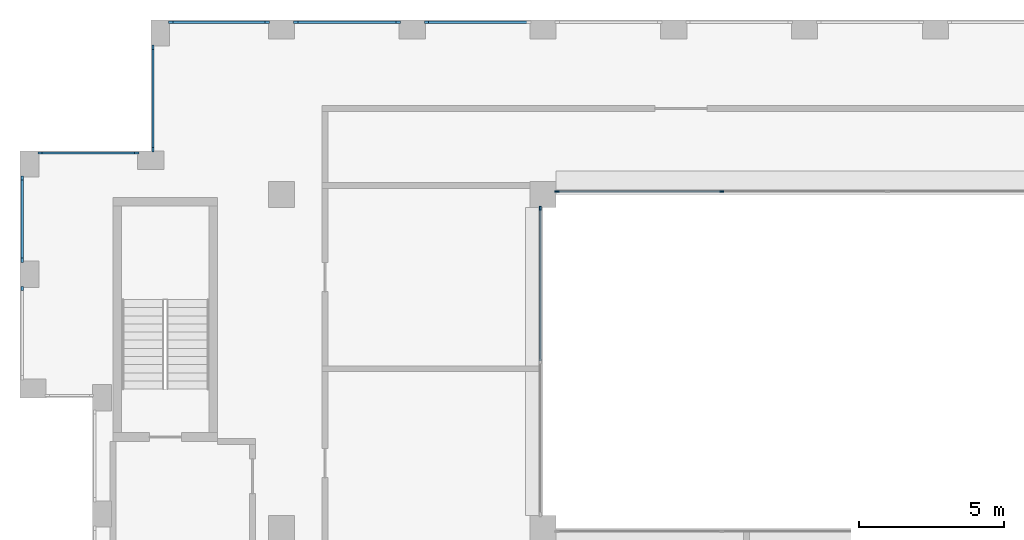
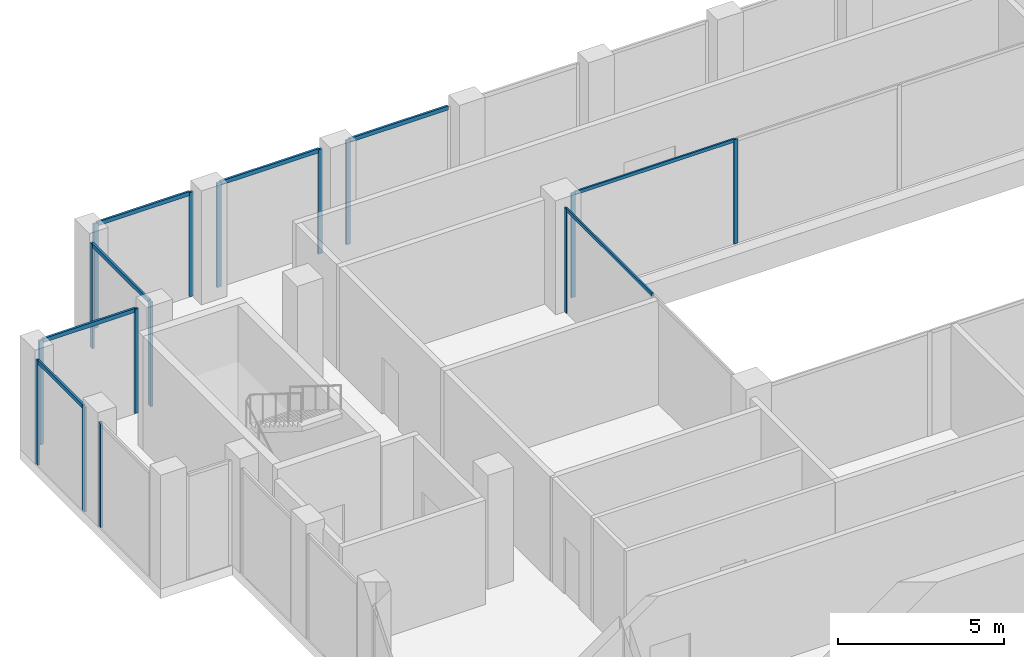
# One storey, part 7 of 15: 23 members, 9 elements without a shape of their own.
"""IFC4 building model written with IfcOpenShell, lengths in metres."""

from ifc_helpers import new_model, si_unit, direction, frame, origin, origin_2d, place, context, subcontext, project, spatial, rectangle, extrude, material, layer, layer_set, material_profile, profile_set, type_object, element, aggregate, save


model = new_model("IFC4")

# Units and contexts
model_context = context("Model", 3, precision=1e-05, world=origin(), true_north=direction((0.0, 1.0)))
body_context = subcontext(model_context, "Body", "Model", "MODEL_VIEW")
ifc_project = project(units=[si_unit("LENGTHUNIT", "METRE"), si_unit("AREAUNIT", "SQUARE_METRE"), si_unit("VOLUMEUNIT", "CUBIC_METRE"), si_unit("PLANEANGLEUNIT", "RADIAN"), si_unit("MASSUNIT", "GRAM", prefix="KILO")], contexts=[model_context])

# Site, building, storey
site_placement = place(None, origin())
site = spatial("IfcSite", under=ifc_project, at=site_placement, CompositionType="ELEMENT")
building_placement = place(site_placement, origin())
building = spatial("IfcBuilding", under=site, at=building_placement, Name="Brigalow Station Residences", CompositionType="ELEMENT")
storey_placement = place(building_placement, frame((0.0, 0.0, 235.800048828125)))
storey = spatial("IfcBuildingStorey", under=building, at=storey_placement, Name="L68", CompositionType="ELEMENT", Elevation=235.800048828125)

# Curtain wall, members
ifc_material_1 = material(Name="Aluminium", Category="aluminium")
ifc_layer_1 = layer(ifc_material_1, 0.14990234375)
ifc_layer_set_1 = layer_set([ifc_layer_1], Name="ATRIUM FIRE-RATED GLAZING CURTAIN WALL")
curtain_wall_type_1 = type_object("IfcCurtainWallType", Name="ATRIUM FIRE-RATED GLAZING CURTAIN WALL", PredefinedType="NOTDEFINED", material=ifc_layer_set_1)
curtain_wall_1_placement = place(storey_placement, origin())
curtain_wall_1 = element("IfcCurtainWall", 1, at=curtain_wall_1_placement, inside=storey, type_object=curtain_wall_type_1, Name="L68/cw/atrium-N", PredefinedType="NOTDEFINED")
ifc_material_2 = material(Name="Aluminium", Category="aluminium")
ifc_material_profile_1 = material_profile(ifc_material_2, rectangle(XDim=0.06005859375, YDim=0.14990234375, at=origin_2d()), Name="ATRIUM FIRE-RATED GLAZING MULLION 60x150")
ifc_profile_set_1 = profile_set([ifc_material_profile_1], Name="Aluminium")
member_type_1 = type_object("IfcMemberType", Name="ATRIUM FIRE-RATED GLAZING MULLION 60x150", PredefinedType="MULLION", material=ifc_profile_set_1)
member_1_placement = place(storey_placement, frame((33.14990234375, 35.60009765625, 0.0), z_axis=(0.0, 0.0, 1.0), x_axis=(0.0, -1.0, 0.0)))
member_1 = element("IfcMember", 2, at=member_1_placement, type_object=member_type_1, Name="L68/cw/atrium-N/M02", PredefinedType="MULLION", context=body_context, shape_type="SweptSolid", body=[
    extrude(rectangle(XDim=0.06005859375, YDim=0.14990234375, at=origin_2d()), origin(), (0.0, 0.0, 1.0), 3.849853515625),
])
member_2_placement = place(storey_placement, frame((27.47998046875, 35.60009765625, 0.0), z_axis=(0.0, 0.0, 1.0), x_axis=(0.0, -1.0, 0.0)))
member_2 = element("IfcMember", 3, at=member_2_placement, type_object=member_type_1, Name="L68/cw/atrium-N/M03", PredefinedType="MULLION", context=body_context, shape_type="SweptSolid", body=[
    extrude(rectangle(XDim=0.06005859375, YDim=0.14990234375, at=origin_2d()), origin(), (0.0, 0.0, 1.0), 3.849853515625),
])

# Curtain wall, member
curtain_wall_2_placement = place(storey_placement, origin())
curtain_wall_2 = element("IfcCurtainWall", 4, at=curtain_wall_2_placement, inside=storey, type_object=curtain_wall_type_1, Name="L68/cw/atrium-W", PredefinedType="NOTDEFINED")
member_3_placement = place(storey_placement, frame((26.89990234375, 35.02001953125, 0.0), z_axis=(0.0, 0.0, 1.0), x_axis=(1.0, 0.0, 0.0)))
member_3 = element("IfcMember", 5, at=member_3_placement, type_object=member_type_1, Name="L68/cw/atrium-W/M00", PredefinedType="MULLION", context=body_context, shape_type="SweptSolid", body=[
    extrude(rectangle(XDim=0.06005859375, YDim=0.14990234375, at=origin_2d()), origin(), (0.0, 0.0, 1.0), 3.849853515625),
])

# Member
ifc_material_3 = material(Name="Aluminium", Category="aluminium")
ifc_material_profile_2 = material_profile(ifc_material_3, rectangle(XDim=0.06005859375, YDim=0.1201171875, at=origin_2d()), Name="ATRIUM FIRE-RATED GLAZING TRANSOM 60x120")
ifc_profile_set_2 = profile_set([ifc_material_profile_2], Name="Aluminium")
member_type_2 = type_object("IfcMemberType", Name="ATRIUM FIRE-RATED GLAZING TRANSOM 60x120", PredefinedType="USERDEFINED", material=ifc_profile_set_2)
member_4_placement = place(storey_placement, frame((33.1201171875, 35.60009765625, 3.820068359375), z_axis=(-1.0, 0.0, 0.0), x_axis=(0.0, -1.0, 0.0)))
member_4 = element("IfcMember", 6, at=member_4_placement, type_object=member_type_2, Name="L68/cw/atrium-N/T02-00", ObjectType="TRANSOM", PredefinedType="USERDEFINED", context=body_context, shape_type="SweptSolid", body=[
    extrude(rectangle(XDim=0.06005859375, YDim=0.1201171875, at=origin_2d()), origin(), (0.0, 0.0, 1.0), 5.610107421875),
])

aggregate(curtain_wall_1, [member_1, member_2, member_4])

member_5_placement = place(storey_placement, frame((26.89990234375, 34.989990234375, 3.820068359375), z_axis=(0.0, -1.0, 0.0), x_axis=(1.0, 0.0, 0.0)))
member_5 = element("IfcMember", 7, at=member_5_placement, type_object=member_type_2, Name="L68/cw/atrium-W/T00-00", ObjectType="TRANSOM", PredefinedType="USERDEFINED", context=body_context, shape_type="SweptSolid", body=[
    extrude(rectangle(XDim=0.06005859375, YDim=0.1201171875, at=origin_2d()), origin(), (0.0, 0.0, 1.0), 5.2099609375),
])

aggregate(curtain_wall_2, [member_3, member_5])

# Curtain wall, member
ifc_material_4 = material(Name="Aluminium", Category="aluminium")
ifc_layer_2 = layer(ifc_material_4, 0.14990234375)
ifc_layer_set_2 = layer_set([ifc_layer_2], Name="CROWN CURTAIN WALL")
curtain_wall_type_2 = type_object("IfcCurtainWallType", Name="CROWN CURTAIN WALL", PredefinedType="NOTDEFINED", material=ifc_layer_set_2)
curtain_wall_3_placement = place(storey_placement, origin())
curtain_wall_3 = element("IfcCurtainWall", 8, at=curtain_wall_3_placement, inside=storey, type_object=curtain_wall_type_2, Name="L68/cw/crown-W-L68-20-28", PredefinedType="NOTDEFINED")
ifc_material_5 = material(Name="Aluminium", Category="aluminium")
ifc_material_profile_3 = material_profile(ifc_material_5, rectangle(XDim=0.074951171875, YDim=0.14990234375, at=origin_2d()), Name="CROWN MULLION 75x150")
ifc_profile_set_3 = profile_set([ifc_material_profile_3], Name="Aluminium")
member_type_3 = type_object("IfcMemberType", Name="CROWN MULLION 75x150", PredefinedType="MULLION", material=ifc_profile_set_3)
member_6_placement = place(storey_placement, frame((22.987548828125, 41.425048828125, 0.0), z_axis=(0.0, 0.0, 1.0), x_axis=(0.0, -1.0, 0.0)))
member_6 = element("IfcMember", 9, at=member_6_placement, type_object=member_type_3, Name="L68/cw/crown-W-L68-20-28/M01", PredefinedType="MULLION", context=body_context, shape_type="SweptSolid", body=[
    extrude(rectangle(XDim=0.074951171875, YDim=0.14990234375, at=origin_2d()), origin(), (0.0, 0.0, 1.0), 3.849853515625),
])

# Curtain wall, members
curtain_wall_4_placement = place(storey_placement, origin())
curtain_wall_4 = element("IfcCurtainWall", 10, at=curtain_wall_4_placement, inside=storey, type_object=curtain_wall_type_2, Name="L68/cw/crown-W-L68-20-29", PredefinedType="NOTDEFINED")
member_7_placement = place(storey_placement, frame((22.012451171875, 41.425048828125, 0.0), z_axis=(0.0, 0.0, 1.0), x_axis=(0.0, -1.0, 0.0)))
member_7 = element("IfcMember", 11, at=member_7_placement, type_object=member_type_3, Name="L68/cw/crown-W-L68-20-29/M00", PredefinedType="MULLION", context=body_context, shape_type="SweptSolid", body=[
    extrude(rectangle(XDim=0.074951171875, YDim=0.14990234375, at=origin_2d()), origin(), (0.0, 0.0, 1.0), 3.849853515625),
])
member_8_placement = place(storey_placement, frame((18.487548828125, 41.425048828125, 0.0), z_axis=(0.0, 0.0, 1.0), x_axis=(0.0, -1.0, 0.0)))
member_8 = element("IfcMember", 12, at=member_8_placement, type_object=member_type_3, Name="L68/cw/crown-W-L68-20-29/M01", PredefinedType="MULLION", context=body_context, shape_type="SweptSolid", body=[
    extrude(rectangle(XDim=0.074951171875, YDim=0.14990234375, at=origin_2d()), origin(), (0.0, 0.0, 1.0), 3.849853515625),
])

curtain_wall_5_placement = place(storey_placement, origin())
curtain_wall_5 = element("IfcCurtainWall", 13, at=curtain_wall_5_placement, inside=storey, type_object=curtain_wall_type_2, Name="L68/cw/crown-W-L68-20-30", PredefinedType="NOTDEFINED")
member_9_placement = place(storey_placement, frame((17.512451171875, 41.425048828125, 0.0), z_axis=(0.0, 0.0, 1.0), x_axis=(0.0, -1.0, 0.0)))
member_9 = element("IfcMember", 14, at=member_9_placement, type_object=member_type_3, Name="L68/cw/crown-W-L68-20-30/M00", PredefinedType="MULLION", context=body_context, shape_type="SweptSolid", body=[
    extrude(rectangle(XDim=0.074951171875, YDim=0.14990234375, at=origin_2d()), origin(), (0.0, 0.0, 1.0), 3.849853515625),
])
member_10_placement = place(storey_placement, frame((14.1875, 41.425048828125, 0.0), z_axis=(0.0, 0.0, 1.0), x_axis=(0.0, -1.0, 0.0)))
member_10 = element("IfcMember", 15, at=member_10_placement, type_object=member_type_3, Name="L68/cw/crown-W-L68-20-30/M01", PredefinedType="MULLION", context=body_context, shape_type="SweptSolid", body=[
    extrude(rectangle(XDim=0.074951171875, YDim=0.14990234375, at=origin_2d()), origin(), (0.0, 0.0, 1.0), 3.849853515625),
])

curtain_wall_6_placement = place(storey_placement, origin())
curtain_wall_6 = element("IfcCurtainWall", 16, at=curtain_wall_6_placement, inside=storey, type_object=curtain_wall_type_2, Name="L68/cw/crown-W-L68-32-31", PredefinedType="NOTDEFINED")
member_11_placement = place(storey_placement, frame((13.574951171875, 40.5625, 0.0), z_axis=(0.0, 0.0, 1.0), x_axis=(1.0, 0.0, 0.0)))
member_11 = element("IfcMember", 17, at=member_11_placement, type_object=member_type_3, Name="L68/cw/crown-W-L68-32-31/M00", PredefinedType="MULLION", context=body_context, shape_type="SweptSolid", body=[
    extrude(rectangle(XDim=0.074951171875, YDim=0.14990234375, at=origin_2d()), origin(), (0.0, 0.0, 1.0), 3.849853515625),
])
member_12_placement = place(storey_placement, frame((13.574951171875, 37.03759765625, 0.0), z_axis=(0.0, 0.0, 1.0), x_axis=(1.0, 0.0, 0.0)))
member_12 = element("IfcMember", 18, at=member_12_placement, type_object=member_type_3, Name="L68/cw/crown-W-L68-32-31/M01", PredefinedType="MULLION", context=body_context, shape_type="SweptSolid", body=[
    extrude(rectangle(XDim=0.074951171875, YDim=0.14990234375, at=origin_2d()), origin(), (0.0, 0.0, 1.0), 3.849853515625),
])

curtain_wall_7_placement = place(storey_placement, origin())
curtain_wall_7 = element("IfcCurtainWall", 19, at=curtain_wall_7_placement, inside=storey, type_object=curtain_wall_type_2, Name="L68/cw/crown-W-L68-33-32", PredefinedType="NOTDEFINED")
member_13_placement = place(storey_placement, frame((13.012451171875, 36.925048828125, 0.0), z_axis=(0.0, 0.0, 1.0), x_axis=(0.0, -1.0, 0.0)))
member_13 = element("IfcMember", 20, at=member_13_placement, type_object=member_type_3, Name="L68/cw/crown-W-L68-33-32/M00", PredefinedType="MULLION", context=body_context, shape_type="SweptSolid", body=[
    extrude(rectangle(XDim=0.074951171875, YDim=0.14990234375, at=origin_2d()), origin(), (0.0, 0.0, 1.0), 3.849853515625),
])
member_14_placement = place(storey_placement, frame((9.6875, 36.925048828125, 0.0), z_axis=(0.0, 0.0, 1.0), x_axis=(0.0, -1.0, 0.0)))
member_14 = element("IfcMember", 21, at=member_14_placement, type_object=member_type_3, Name="L68/cw/crown-W-L68-33-32/M01", PredefinedType="MULLION", context=body_context, shape_type="SweptSolid", body=[
    extrude(rectangle(XDim=0.074951171875, YDim=0.14990234375, at=origin_2d()), origin(), (0.0, 0.0, 1.0), 3.849853515625),
])

curtain_wall_8_placement = place(storey_placement, origin())
curtain_wall_8 = element("IfcCurtainWall", 22, at=curtain_wall_8_placement, inside=storey, type_object=curtain_wall_type_2, Name="L68/cw/crown-W-L68-34-33", PredefinedType="NOTDEFINED")
member_15_placement = place(storey_placement, frame((9.074951171875, 36.0625, 0.0), z_axis=(0.0, 0.0, 1.0), x_axis=(1.0, 0.0, 0.0)))
member_15 = element("IfcMember", 23, at=member_15_placement, type_object=member_type_3, Name="L68/cw/crown-W-L68-34-33/M00", PredefinedType="MULLION", context=body_context, shape_type="SweptSolid", body=[
    extrude(rectangle(XDim=0.074951171875, YDim=0.14990234375, at=origin_2d()), origin(), (0.0, 0.0, 1.0), 3.849853515625),
])
member_16_placement = place(storey_placement, frame((9.074951171875, 33.237548828125, 0.0), z_axis=(0.0, 0.0, 1.0), x_axis=(1.0, 0.0, 0.0)))
member_16 = element("IfcMember", 24, at=member_16_placement, type_object=member_type_3, Name="L68/cw/crown-W-L68-34-33/M01", PredefinedType="MULLION", context=body_context, shape_type="SweptSolid", body=[
    extrude(rectangle(XDim=0.074951171875, YDim=0.14990234375, at=origin_2d()), origin(), (0.0, 0.0, 1.0), 3.849853515625),
])

# Curtain wall, member
curtain_wall_9_placement = place(storey_placement, origin())
curtain_wall_9 = element("IfcCurtainWall", 25, at=curtain_wall_9_placement, inside=storey, type_object=curtain_wall_type_2, Name="L68/cw/crown-W-L68-34-34", PredefinedType="NOTDEFINED")
member_17_placement = place(storey_placement, frame((9.074951171875, 32.262451171875, 0.0), z_axis=(0.0, 0.0, 1.0), x_axis=(1.0, 0.0, 0.0)))
member_17 = element("IfcMember", 26, at=member_17_placement, type_object=member_type_3, Name="L68/cw/crown-W-L68-34-34/M00", PredefinedType="MULLION", context=body_context, shape_type="SweptSolid", body=[
    extrude(rectangle(XDim=0.074951171875, YDim=0.14990234375, at=origin_2d()), origin(), (0.0, 0.0, 1.0), 3.849853515625),
])
aggregate(curtain_wall_9, [member_17])

# Member
ifc_material_6 = material(Name="Aluminium", Category="aluminium")
ifc_material_profile_4 = material_profile(ifc_material_6, rectangle(XDim=0.074951171875, YDim=0.14990234375, at=origin_2d()), Name="CROWN TRANSOM 75x150")
ifc_profile_set_4 = profile_set([ifc_material_profile_4], Name="Aluminium")
member_type_4 = type_object("IfcMemberType", Name="CROWN TRANSOM 75x150", PredefinedType="USERDEFINED", material=ifc_profile_set_4)
member_18_placement = place(storey_placement, frame((26.47509765625, 41.425048828125, 3.8125), z_axis=(-1.0, 0.0, 0.0), x_axis=(0.0, -1.0, 0.0)))
member_18 = element("IfcMember", 27, at=member_18_placement, type_object=member_type_4, Name="L68/cw/crown-W-L68-20-28/T00-00", ObjectType="TRANSOM", PredefinedType="USERDEFINED", context=body_context, shape_type="SweptSolid", body=[
    extrude(rectangle(XDim=0.074951171875, YDim=0.14990234375, at=origin_2d()), origin(), (0.0, 0.0, 1.0), 3.4501953125),
])

aggregate(curtain_wall_3, [member_6, member_18])

member_19_placement = place(storey_placement, frame((21.97509765625, 41.425048828125, 3.8125), z_axis=(-1.0, 0.0, 0.0), x_axis=(0.0, -1.0, 0.0)))
member_19 = element("IfcMember", 28, at=member_19_placement, type_object=member_type_4, Name="L68/cw/crown-W-L68-20-29/T00-00", ObjectType="TRANSOM", PredefinedType="USERDEFINED", context=body_context, shape_type="SweptSolid", body=[
    extrude(rectangle(XDim=0.074951171875, YDim=0.14990234375, at=origin_2d()), origin(), (0.0, 0.0, 1.0), 3.4501953125),
])

aggregate(curtain_wall_4, [member_7, member_8, member_19])

member_20_placement = place(storey_placement, frame((17.47509765625, 41.425048828125, 3.8125), z_axis=(-1.0, 0.0, 0.0), x_axis=(0.0, -1.0, 0.0)))
member_20 = element("IfcMember", 29, at=member_20_placement, type_object=member_type_4, Name="L68/cw/crown-W-L68-20-30/T00-00", ObjectType="TRANSOM", PredefinedType="USERDEFINED", context=body_context, shape_type="SweptSolid", body=[
    extrude(rectangle(XDim=0.074951171875, YDim=0.14990234375, at=origin_2d()), origin(), (0.0, 0.0, 1.0), 3.25),
])

aggregate(curtain_wall_5, [member_9, member_10, member_20])

member_21_placement = place(storey_placement, frame((13.574951171875, 40.52490234375, 3.8125), z_axis=(0.0, -1.0, 0.0), x_axis=(1.0, 0.0, 0.0)))
member_21 = element("IfcMember", 30, at=member_21_placement, type_object=member_type_4, Name="L68/cw/crown-W-L68-32-31/T00-00", ObjectType="TRANSOM", PredefinedType="USERDEFINED", context=body_context, shape_type="SweptSolid", body=[
    extrude(rectangle(XDim=0.074951171875, YDim=0.14990234375, at=origin_2d()), origin(), (0.0, 0.0, 1.0), 3.449951171875),
])

aggregate(curtain_wall_6, [member_11, member_12, member_21])

member_22_placement = place(storey_placement, frame((12.97509765625, 36.925048828125, 3.8125), z_axis=(-1.0, 0.0, 0.0), x_axis=(0.0, -1.0, 0.0)))
member_22 = element("IfcMember", 31, at=member_22_placement, type_object=member_type_4, Name="L68/cw/crown-W-L68-33-32/T00-00", ObjectType="TRANSOM", PredefinedType="USERDEFINED", context=body_context, shape_type="SweptSolid", body=[
    extrude(rectangle(XDim=0.074951171875, YDim=0.14990234375, at=origin_2d()), origin(), (0.0, 0.0, 1.0), 3.25),
])

aggregate(curtain_wall_7, [member_13, member_14, member_22])

member_23_placement = place(storey_placement, frame((9.074951171875, 36.02490234375, 3.8125), z_axis=(0.0, -1.0, 0.0), x_axis=(1.0, 0.0, 0.0)))
member_23 = element("IfcMember", 32, at=member_23_placement, type_object=member_type_4, Name="L68/cw/crown-W-L68-34-33/T00-00", ObjectType="TRANSOM", PredefinedType="USERDEFINED", context=body_context, shape_type="SweptSolid", body=[
    extrude(rectangle(XDim=0.074951171875, YDim=0.14990234375, at=origin_2d()), origin(), (0.0, 0.0, 1.0), 2.75),
])

aggregate(curtain_wall_8, [member_15, member_16, member_23])

save(model, "model.ifc")
